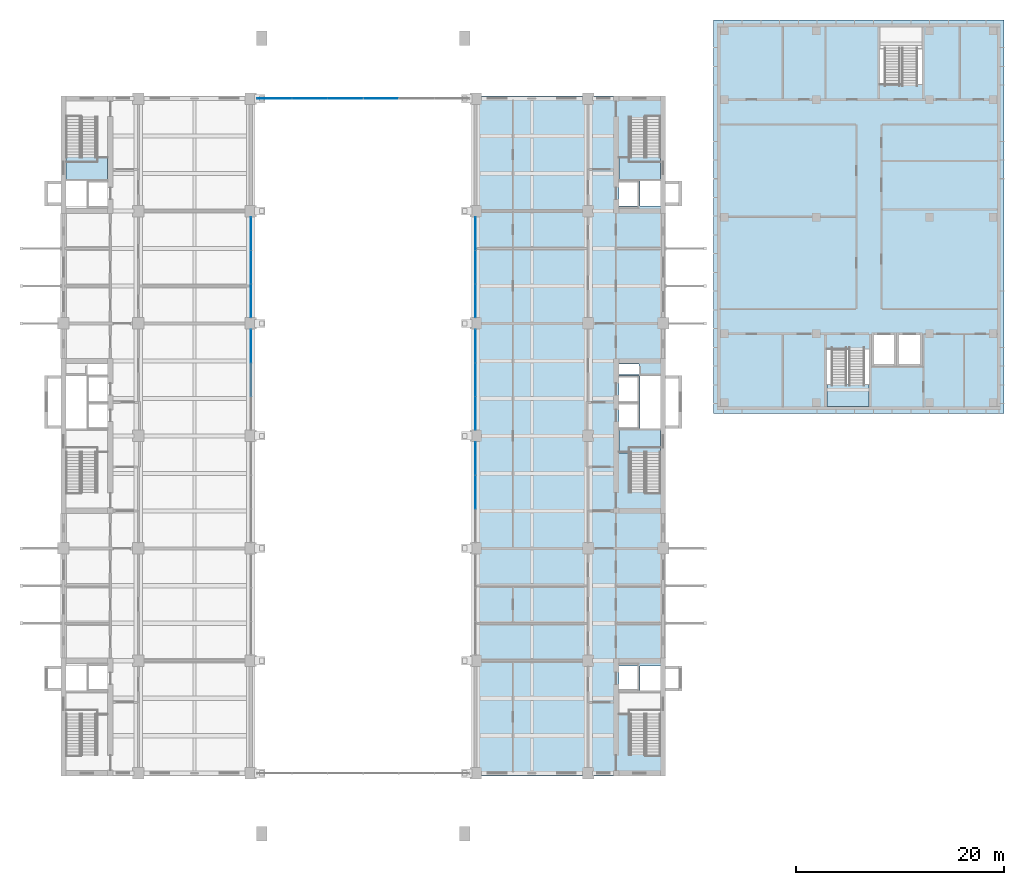
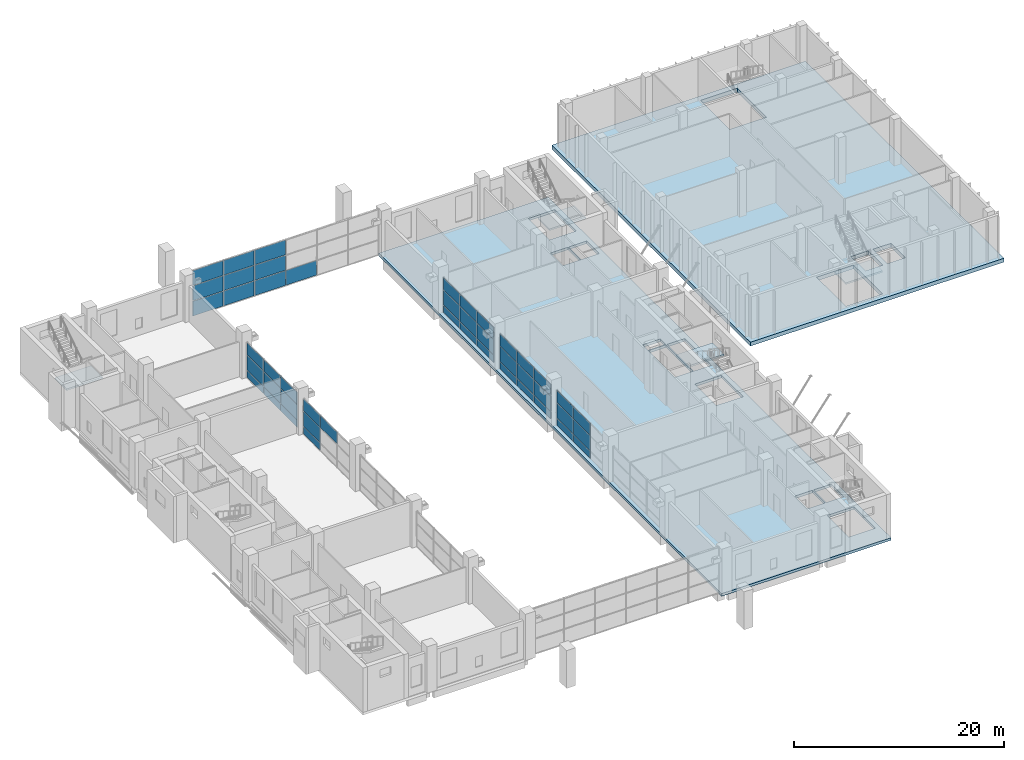
# One storey, part 15 of 38: 47 plates, 6 slabs, 10 elements without a shape of their own.
"""IFC4 building model written with IfcOpenShell, lengths in metres."""

from ifc_helpers import new_model, si_unit, direction, frame, origin, origin_2d, place, context, subcontext, project, spatial, polyline, rectangle, outline, extrude, material, layer, layer_set, type_object, element, aggregate, save


model = new_model("IFC4")

# Units and contexts
model_context = context("Model", 3, precision=1e-05, world=origin(), true_north=direction((0.0, 1.0)))
body_context = subcontext(model_context, "Body", "Model", "MODEL_VIEW")
ifc_project = project(units=[si_unit("LENGTHUNIT", "METRE"), si_unit("AREAUNIT", "SQUARE_METRE"), si_unit("VOLUMEUNIT", "CUBIC_METRE"), si_unit("PLANEANGLEUNIT", "RADIAN"), si_unit("MASSUNIT", "GRAM", prefix="KILO")], contexts=[model_context])

# Site, building, storey
site_placement = place(None, origin())
site = spatial("IfcSite", under=ifc_project, at=site_placement, CompositionType="ELEMENT")
building_placement = place(site_placement, origin())
building = spatial("IfcBuilding", under=site, at=building_placement, Name="Basin Gate Institute", CompositionType="ELEMENT")
storey_placement = place(building_placement, frame((0.0, 0.0, 16.800048828125)))
storey = spatial("IfcBuildingStorey", under=building, at=storey_placement, Name="L03", CompositionType="ELEMENT", Elevation=16.800048828125)

# Curtain wall, plates
ifc_material_1 = material(Name="Aluminium and glass curtain wall", Category="aluminium")
ifc_layer_1 = layer(ifc_material_1, 0.14990234375)
ifc_layer_set_1 = layer_set([ifc_layer_1], Name="Atrium curtain wall CW81")
curtain_wall_type_1 = type_object("IfcCurtainWallType", Name="Atrium curtain wall CW81", PredefinedType="NOTDEFINED", material=ifc_layer_set_1)
curtain_wall_1_placement = place(storey_placement, origin())
curtain_wall_1 = element("IfcCurtainWall", 1, at=curtain_wall_1_placement, inside=storey, type_object=curtain_wall_type_1, material=ifc_layer_set_1, Name="Atrium end screen N L03", PredefinedType="NOTDEFINED")
ifc_material_2 = material(Name="Toughened glass", Category="glass")
ifc_layer_2 = layer(ifc_material_2, 0.028076171875)
ifc_layer_set_2 = layer_set([ifc_layer_2], Name="Atrium glass panel PN81")
plate_type_1 = type_object("IfcPlateType", Name="Atrium glass panel PN81", PredefinedType="CURTAIN_PANEL", material=ifc_layer_set_2)
plate_1_placement = place(storey_placement, frame((81.473388671875, 99.89990234375, 0.06005859375), z_axis=(0.0, 0.0, 1.0), x_axis=(1.0, 0.0, 0.0)))
plate_1 = element("IfcPlate", 2, at=plate_1_placement, type_object=plate_type_1, material=ifc_layer_set_2, Name="CW81 panel 1.1", PredefinedType="CURTAIN_PANEL", context=body_context, shape_type="SweptSolid", body=[
    extrude(rectangle(XDim=3.32666015625, YDim=0.028076171875, at=origin_2d()), origin(), (0.0, 0.0, 1.0), 1.7099609375),
])
plate_2_placement = place(storey_placement, frame((81.473388671875, 99.89990234375, 1.830078125), z_axis=(0.0, 0.0, 1.0), x_axis=(1.0, 0.0, 0.0)))
plate_2 = element("IfcPlate", 3, at=plate_2_placement, type_object=plate_type_1, material=ifc_layer_set_2, Name="CW81 panel 1.2", PredefinedType="CURTAIN_PANEL", context=body_context, shape_type="SweptSolid", body=[
    extrude(rectangle(XDim=3.32666015625, YDim=0.028076171875, at=origin_2d()), origin(), (0.0, 0.0, 1.0), 1.739990234375),
])
plate_3_placement = place(storey_placement, frame((81.473388671875, 99.89990234375, 3.6298828125), z_axis=(0.0, 0.0, 1.0), x_axis=(1.0, 0.0, 0.0)))
plate_3 = element("IfcPlate", 4, at=plate_3_placement, type_object=plate_type_1, material=ifc_layer_set_2, Name="CW81 panel 1.3", PredefinedType="CURTAIN_PANEL", context=body_context, shape_type="SweptSolid", body=[
    extrude(rectangle(XDim=3.32666015625, YDim=0.028076171875, at=origin_2d()), origin(), (0.0, 0.0, 1.0), 1.7099609375),
])
plate_4_placement = place(storey_placement, frame((84.875, 99.89990234375, 0.06005859375), z_axis=(0.0, 0.0, 1.0), x_axis=(1.0, 0.0, 0.0)))
plate_4 = element("IfcPlate", 5, at=plate_4_placement, type_object=plate_type_1, material=ifc_layer_set_2, Name="CW81 panel 2.1", PredefinedType="CURTAIN_PANEL", context=body_context, shape_type="SweptSolid", body=[
    extrude(rectangle(XDim=3.356689453125, YDim=0.028076171875, at=origin_2d()), origin(), (0.0, 0.0, 1.0), 1.7099609375),
])
plate_5_placement = place(storey_placement, frame((84.875, 99.89990234375, 1.830078125), z_axis=(0.0, 0.0, 1.0), x_axis=(1.0, 0.0, 0.0)))
plate_5 = element("IfcPlate", 6, at=plate_5_placement, type_object=plate_type_1, material=ifc_layer_set_2, Name="CW81 panel 2.2", PredefinedType="CURTAIN_PANEL", context=body_context, shape_type="SweptSolid", body=[
    extrude(rectangle(XDim=3.356689453125, YDim=0.028076171875, at=origin_2d()), origin(), (0.0, 0.0, 1.0), 1.739990234375),
])
plate_6_placement = place(storey_placement, frame((84.875, 99.89990234375, 3.6298828125), z_axis=(0.0, 0.0, 1.0), x_axis=(1.0, 0.0, 0.0)))
plate_6 = element("IfcPlate", 7, at=plate_6_placement, type_object=plate_type_1, material=ifc_layer_set_2, Name="CW81 panel 2.3", PredefinedType="CURTAIN_PANEL", context=body_context, shape_type="SweptSolid", body=[
    extrude(rectangle(XDim=3.356689453125, YDim=0.028076171875, at=origin_2d()), origin(), (0.0, 0.0, 1.0), 1.7099609375),
])
plate_7_placement = place(storey_placement, frame((88.291748046875, 99.89990234375, 0.06005859375), z_axis=(0.0, 0.0, 1.0), x_axis=(1.0, 0.0, 0.0)))
plate_7 = element("IfcPlate", 8, at=plate_7_placement, type_object=plate_type_1, material=ifc_layer_set_2, Name="CW81 panel 3.1", PredefinedType="CURTAIN_PANEL", context=body_context, shape_type="SweptSolid", body=[
    extrude(rectangle(XDim=3.356689453125, YDim=0.028076171875, at=origin_2d()), origin(), (0.0, 0.0, 1.0), 1.7099609375),
])
plate_8_placement = place(storey_placement, frame((88.291748046875, 99.89990234375, 1.830078125), z_axis=(0.0, 0.0, 1.0), x_axis=(1.0, 0.0, 0.0)))
plate_8 = element("IfcPlate", 9, at=plate_8_placement, type_object=plate_type_1, material=ifc_layer_set_2, Name="CW81 panel 3.2", PredefinedType="CURTAIN_PANEL", context=body_context, shape_type="SweptSolid", body=[
    extrude(rectangle(XDim=3.356689453125, YDim=0.028076171875, at=origin_2d()), origin(), (0.0, 0.0, 1.0), 1.739990234375),
])
plate_9_placement = place(storey_placement, frame((88.291748046875, 99.89990234375, 3.6298828125), z_axis=(0.0, 0.0, 1.0), x_axis=(1.0, 0.0, 0.0)))
plate_9 = element("IfcPlate", 10, at=plate_9_placement, type_object=plate_type_1, material=ifc_layer_set_2, Name="CW81 panel 3.3", PredefinedType="CURTAIN_PANEL", context=body_context, shape_type="SweptSolid", body=[
    extrude(rectangle(XDim=3.356689453125, YDim=0.028076171875, at=origin_2d()), origin(), (0.0, 0.0, 1.0), 1.7099609375),
])
plate_10_placement = place(storey_placement, frame((91.708251953125, 99.89990234375, 0.06005859375), z_axis=(0.0, 0.0, 1.0), x_axis=(1.0, 0.0, 0.0)))
plate_10 = element("IfcPlate", 11, at=plate_10_placement, type_object=plate_type_1, material=ifc_layer_set_2, Name="CW81 panel 4.1", PredefinedType="CURTAIN_PANEL", context=body_context, shape_type="SweptSolid", body=[
    extrude(rectangle(XDim=3.356689453125, YDim=0.028076171875, at=origin_2d()), origin(), (0.0, 0.0, 1.0), 1.7099609375),
])
aggregate(curtain_wall_1, [plate_1, plate_2, plate_3, plate_4, plate_5, plate_6, plate_7, plate_8, plate_9, plate_10])

# Stair, slab
ifc_material_3 = material(Name="Concrete 40 MPa", Category="concrete")
stair_type_1 = type_object("IfcStairType", Name="Block stair ST", PredefinedType="HALF_TURN_STAIR", material=ifc_material_3)
stair_1_placement = place(storey_placement, origin())
stair_1 = element("IfcStair", 12, at=stair_1_placement, inside=storey, type_object=stair_type_1, material=ifc_material_3, Name="Clean block stair ST-C4 L03", PredefinedType="HALF_TURN_STAIR")
ifc_material_4 = material(Name="Concrete 40 MPa", Category="concrete")
ifc_layer_3 = layer(ifc_material_4, 0.199951171875)
ifc_layer_set_3 = layer_set([ifc_layer_3], Name="Concrete 40 MPa")
slab_type_1 = type_object("IfcSlabType", Name="Block stair landing", PredefinedType="LANDING", material=ifc_layer_set_3)
slab_1_placement = place(storey_placement, frame((0.0, 0.0, 2.5)))
slab_1 = element("IfcSlab", 13, at=slab_1_placement, type_object=slab_type_1, material=ifc_layer_set_3, Name="ST-C4 landing 1", PredefinedType="LANDING", context=body_context, shape_type="SweptSolid", body=[
    extrude(outline(polyline([(134.52490234375, 70.300048828125), (138.574951171875, 70.300048828125), (138.574951171875, 72.455078125), (134.52490234375, 72.455078125), (134.52490234375, 70.300048828125)])), origin(), (0.0, 0.0, 1.0), 0.199951171875),
])
aggregate(stair_1, [slab_1])

# Slabs
ifc_material_5 = material(Name="Concrete 40 MPa", Category="concrete")
ifc_layer_4 = layer(ifc_material_5, 0.300048828125)
ifc_layer_set_4 = layer_set([ifc_layer_4], Name="Concrete 40 MPa")
slab_type_2 = type_object("IfcSlabType", Name="Slab SL3 R180", PredefinedType="FLOOR", material=ifc_layer_set_4)
slab_2_placement = place(storey_placement, frame((0.0, 0.0, -0.300048828125)))
element("IfcSlab", 14, at=slab_2_placement, inside=storey, type_object=slab_type_2, material=ifc_layer_set_4, Name="SLAB/L03/E", PredefinedType="FLOOR", context=body_context, shape_type="SweptSolid", body=[
    extrude(outline(polyline([(119.050048828125, 100.14990234375), (100.39990234375, 100.14990234375), (100.39990234375, 34.85009765625), (119.050048828125, 34.85009765625), (119.050048828125, 100.14990234375)]), holes=[polyline([(118.550048828125, 41.070068359375), (115.60009765625, 41.070068359375), (115.60009765625, 36.969970703125), (118.550048828125, 36.969970703125), (118.550048828125, 41.070068359375)]), polyline([(118.550048828125, 66.27001953125), (115.60009765625, 66.27001953125), (115.60009765625, 62.169921875), (118.550048828125, 62.169921875), (118.550048828125, 66.27001953125)]), polyline([(118.550048828125, 98.030029296875), (115.60009765625, 98.030029296875), (115.60009765625, 93.929931640625), (118.550048828125, 93.929931640625), (118.550048828125, 98.030029296875)]), polyline([(118.550048828125, 45.39990234375), (116.60009765625, 45.39990234375), (116.60009765625, 43.0), (118.550048828125, 43.0), (118.550048828125, 45.39990234375)]), polyline([(118.550048828125, 73.300048828125), (116.60009765625, 73.300048828125), (116.60009765625, 68.199951171875), (118.550048828125, 68.199951171875), (118.550048828125, 73.300048828125)]), polyline([(116.5, 74.39990234375), (114.550048828125, 74.39990234375), (114.550048828125, 73.39990234375), (116.5, 73.39990234375), (116.5, 74.39990234375)]), polyline([(118.550048828125, 92.0), (116.60009765625, 92.0), (116.60009765625, 89.60009765625), (118.550048828125, 89.60009765625), (118.550048828125, 92.0)]), polyline([(116.5, 45.39990234375), (114.550048828125, 45.39990234375), (114.550048828125, 43.0), (116.5, 43.0), (116.5, 45.39990234375)]), polyline([(116.5, 68.199951171875), (114.550048828125, 68.199951171875), (114.550048828125, 73.300048828125), (116.5, 73.300048828125), (116.5, 68.199951171875)]), polyline([(116.5, 92.0), (114.550048828125, 92.0), (114.550048828125, 89.60009765625), (116.5, 89.60009765625), (116.5, 92.0)])]), origin(), (0.0, 0.0, 1.0), 0.300048828125),
])
ifc_material_6 = material(Name="Concrete 40 MPa", Category="concrete")
ifc_layer_5 = layer(ifc_material_6, 0.449951171875)
ifc_layer_set_5 = layer_set([ifc_layer_5], Name="Concrete 40 MPa")
slab_type_3 = type_object("IfcSlabType", Name="Slab SL845 R180", PredefinedType="FLOOR", material=ifc_layer_set_5)
slab_3_placement = place(storey_placement, frame((0.0, 0.0, -0.449951171875)))
element("IfcSlab", 15, at=slab_3_placement, inside=storey, type_object=slab_type_3, material=ifc_layer_set_5, Name="Clean block floor slab R180 L03", PredefinedType="FLOOR", context=body_context, shape_type="SweptSolid", body=[
    extrude(outline(polyline([(123.64990234375, 107.449951171875), (123.64990234375, 69.64990234375), (151.550048828125, 69.64990234375), (151.550048828125, 107.449951171875), (123.64990234375, 107.449951171875)]), holes=[polyline([(134.52490234375, 75.85498046875), (138.574951171875, 75.85498046875), (138.574951171875, 70.300048828125), (134.52490234375, 70.300048828125), (134.52490234375, 75.85498046875)]), polyline([(139.074951171875, 77.175048828125), (140.97509765625, 77.175048828125), (140.97509765625, 74.425048828125), (139.074951171875, 74.425048828125), (139.074951171875, 77.175048828125)]), polyline([(141.47509765625, 77.175048828125), (143.47509765625, 77.175048828125), (143.47509765625, 74.425048828125), (141.47509765625, 74.425048828125), (141.47509765625, 77.175048828125)]), polyline([(139.625, 106.800048828125), (143.675048828125, 106.800048828125), (143.675048828125, 101.2451171875), (139.625, 101.2451171875), (139.625, 106.800048828125)])]), origin(), (0.0, 0.0, 1.0), 0.449951171875),
])

# Curtain wall, plates
ifc_material_7 = material(Name="Fire-resistant glazing in steel-free frame", Category="steel")
ifc_layer_6 = layer(ifc_material_7, 0.199951171875)
ifc_layer_set_6 = layer_set([ifc_layer_6], Name="Fire-resistant glazing in steel-free frame")
curtain_wall_type_2 = type_object("IfcCurtainWallType", Name="Atrium rated curtain wall CW3", PredefinedType="NOTDEFINED", material=ifc_layer_set_6)
curtain_wall_2_placement = place(storey_placement, origin())
curtain_wall_2 = element("IfcCurtainWall", 16, at=curtain_wall_2_placement, inside=storey, type_object=curtain_wall_type_2, material=ifc_layer_set_6, Name="Atrium rated curtain wall W wing atrium bay 4 L03", PredefinedType="NOTDEFINED")
ifc_material_8 = material(Name="Fire-resisting board panel")
ifc_layer_7 = layer(ifc_material_8, 0.050048828125)
ifc_layer_set_7 = layer_set([ifc_layer_7], Name="Spandrel panel PN4")
plate_type_2 = type_object("IfcPlateType", Name="Spandrel panel PN4", PredefinedType="CURTAIN_PANEL", material=ifc_layer_set_7)
plate_11_placement = place(storey_placement, frame((79.199951171875, 72.89990234375, 2.72998046875), z_axis=(0.0, 0.0, 1.0), x_axis=(0.0, 1.0, 0.0)))
plate_11 = element("IfcPlate", 17, at=plate_11_placement, type_object=plate_type_2, material=ifc_layer_set_7, Name="CW3 spandrel panel 2.3", PredefinedType="CURTAIN_PANEL", context=body_context, shape_type="SweptSolid", body=[
    extrude(rectangle(XDim=3.17333984375, YDim=0.050048828125, at=origin_2d()), origin(), (0.0, 0.0, 1.0), 1.360107421875),
])
plate_12_placement = place(storey_placement, frame((79.199951171875, 76.118408203125, 0.059814453125), z_axis=(0.0, 0.0, 1.0), x_axis=(0.0, 1.0, 0.0)))
plate_12 = element("IfcPlate", 18, at=plate_12_placement, type_object=plate_type_2, material=ifc_layer_set_7, Name="CW3 spandrel panel 3.1", PredefinedType="CURTAIN_PANEL", context=body_context, shape_type="SweptSolid", body=[
    extrude(rectangle(XDim=3.143310546875, YDim=0.050048828125, at=origin_2d()), origin(), (0.0, 0.0, 1.0), 0.81005859375),
])
plate_13_placement = place(storey_placement, frame((79.199951171875, 76.118408203125, 2.72998046875), z_axis=(0.0, 0.0, 1.0), x_axis=(0.0, 1.0, 0.0)))
plate_13 = element("IfcPlate", 19, at=plate_13_placement, type_object=plate_type_2, material=ifc_layer_set_7, Name="CW3 spandrel panel 3.3", PredefinedType="CURTAIN_PANEL", context=body_context, shape_type="SweptSolid", body=[
    extrude(rectangle(XDim=3.143310546875, YDim=0.050048828125, at=origin_2d()), origin(), (0.0, 0.0, 1.0), 1.360107421875),
])

curtain_wall_3_placement = place(storey_placement, origin())
curtain_wall_3 = element("IfcCurtainWall", 20, at=curtain_wall_3_placement, inside=storey, type_object=curtain_wall_type_2, material=ifc_layer_set_6, Name="Atrium rated curtain wall W wing atrium bay 5 L03", PredefinedType="NOTDEFINED")
plate_14_placement = place(storey_placement, frame((79.199951171875, 80.481689453125, 0.059814453125), z_axis=(0.0, 0.0, 1.0), x_axis=(0.0, 1.0, 0.0)))
plate_14 = element("IfcPlate", 21, at=plate_14_placement, type_object=plate_type_2, material=ifc_layer_set_7, Name="CW3 spandrel panel 1.1", PredefinedType="CURTAIN_PANEL", context=body_context, shape_type="SweptSolid", body=[
    extrude(rectangle(XDim=3.143310546875, YDim=0.050048828125, at=origin_2d()), origin(), (0.0, 0.0, 1.0), 0.81005859375),
])
plate_15_placement = place(storey_placement, frame((79.199951171875, 80.481689453125, 2.72998046875), z_axis=(0.0, 0.0, 1.0), x_axis=(0.0, 1.0, 0.0)))
plate_15 = element("IfcPlate", 22, at=plate_15_placement, type_object=plate_type_2, material=ifc_layer_set_7, Name="CW3 spandrel panel 1.3", PredefinedType="CURTAIN_PANEL", context=body_context, shape_type="SweptSolid", body=[
    extrude(rectangle(XDim=3.143310546875, YDim=0.050048828125, at=origin_2d()), origin(), (0.0, 0.0, 1.0), 1.360107421875),
])
plate_16_placement = place(storey_placement, frame((79.199951171875, 83.699951171875, 0.059814453125), z_axis=(0.0, 0.0, 1.0), x_axis=(0.0, 1.0, 0.0)))
plate_16 = element("IfcPlate", 23, at=plate_16_placement, type_object=plate_type_2, material=ifc_layer_set_7, Name="CW3 spandrel panel 2.1", PredefinedType="CURTAIN_PANEL", context=body_context, shape_type="SweptSolid", body=[
    extrude(rectangle(XDim=3.17333984375, YDim=0.050048828125, at=origin_2d()), origin(), (0.0, 0.0, 1.0), 0.81005859375),
])
plate_17_placement = place(storey_placement, frame((79.199951171875, 83.699951171875, 2.72998046875), z_axis=(0.0, 0.0, 1.0), x_axis=(0.0, 1.0, 0.0)))
plate_17 = element("IfcPlate", 24, at=plate_17_placement, type_object=plate_type_2, material=ifc_layer_set_7, Name="CW3 spandrel panel 2.3", PredefinedType="CURTAIN_PANEL", context=body_context, shape_type="SweptSolid", body=[
    extrude(rectangle(XDim=3.17333984375, YDim=0.050048828125, at=origin_2d()), origin(), (0.0, 0.0, 1.0), 1.360107421875),
])
plate_18_placement = place(storey_placement, frame((79.199951171875, 86.918212890625, 0.059814453125), z_axis=(0.0, 0.0, 1.0), x_axis=(0.0, 1.0, 0.0)))
plate_18 = element("IfcPlate", 25, at=plate_18_placement, type_object=plate_type_2, material=ifc_layer_set_7, Name="CW3 spandrel panel 3.1", PredefinedType="CURTAIN_PANEL", context=body_context, shape_type="SweptSolid", body=[
    extrude(rectangle(XDim=3.143310546875, YDim=0.050048828125, at=origin_2d()), origin(), (0.0, 0.0, 1.0), 0.81005859375),
])
plate_19_placement = place(storey_placement, frame((79.199951171875, 86.918212890625, 2.72998046875), z_axis=(0.0, 0.0, 1.0), x_axis=(0.0, 1.0, 0.0)))
plate_19 = element("IfcPlate", 26, at=plate_19_placement, type_object=plate_type_2, material=ifc_layer_set_7, Name="CW3 spandrel panel 3.3", PredefinedType="CURTAIN_PANEL", context=body_context, shape_type="SweptSolid", body=[
    extrude(rectangle(XDim=3.143310546875, YDim=0.050048828125, at=origin_2d()), origin(), (0.0, 0.0, 1.0), 1.360107421875),
])

curtain_wall_4_placement = place(storey_placement, origin())
curtain_wall_4 = element("IfcCurtainWall", 27, at=curtain_wall_4_placement, inside=storey, type_object=curtain_wall_type_2, material=ifc_layer_set_6, Name="Atrium rated curtain wall E wing atrium bay 3 L03", PredefinedType="NOTDEFINED")
plate_20_placement = place(storey_placement, frame((100.800048828125, 62.10009765625, 0.059814453125), z_axis=(0.0, 0.0, 1.0), x_axis=(0.0, 1.0, 0.0)))
plate_20 = element("IfcPlate", 28, at=plate_20_placement, type_object=plate_type_2, material=ifc_layer_set_7, Name="CW3 spandrel panel 2.1", PredefinedType="CURTAIN_PANEL", context=body_context, shape_type="SweptSolid", body=[
    extrude(rectangle(XDim=3.17333984375, YDim=0.050048828125, at=origin_2d()), origin(), (0.0, 0.0, 1.0), 0.81005859375),
])
plate_21_placement = place(storey_placement, frame((100.800048828125, 62.10009765625, 2.72998046875), z_axis=(0.0, 0.0, 1.0), x_axis=(0.0, 1.0, 0.0)))
plate_21 = element("IfcPlate", 29, at=plate_21_placement, type_object=plate_type_2, material=ifc_layer_set_7, Name="CW3 spandrel panel 2.3", PredefinedType="CURTAIN_PANEL", context=body_context, shape_type="SweptSolid", body=[
    extrude(rectangle(XDim=3.17333984375, YDim=0.050048828125, at=origin_2d()), origin(), (0.0, 0.0, 1.0), 1.360107421875),
])
plate_22_placement = place(storey_placement, frame((100.800048828125, 65.318359375, 0.059814453125), z_axis=(0.0, 0.0, 1.0), x_axis=(0.0, 1.0, 0.0)))
plate_22 = element("IfcPlate", 30, at=plate_22_placement, type_object=plate_type_2, material=ifc_layer_set_7, Name="CW3 spandrel panel 3.1", PredefinedType="CURTAIN_PANEL", context=body_context, shape_type="SweptSolid", body=[
    extrude(rectangle(XDim=3.143310546875, YDim=0.050048828125, at=origin_2d()), origin(), (0.0, 0.0, 1.0), 0.81005859375),
])
plate_23_placement = place(storey_placement, frame((100.800048828125, 65.318359375, 2.72998046875), z_axis=(0.0, 0.0, 1.0), x_axis=(0.0, 1.0, 0.0)))
plate_23 = element("IfcPlate", 31, at=plate_23_placement, type_object=plate_type_2, material=ifc_layer_set_7, Name="CW3 spandrel panel 3.3", PredefinedType="CURTAIN_PANEL", context=body_context, shape_type="SweptSolid", body=[
    extrude(rectangle(XDim=3.143310546875, YDim=0.050048828125, at=origin_2d()), origin(), (0.0, 0.0, 1.0), 1.360107421875),
])

curtain_wall_5_placement = place(storey_placement, origin())
curtain_wall_5 = element("IfcCurtainWall", 32, at=curtain_wall_5_placement, inside=storey, type_object=curtain_wall_type_2, material=ifc_layer_set_6, Name="Atrium rated curtain wall E wing atrium bay 4 L03", PredefinedType="NOTDEFINED")
plate_24_placement = place(storey_placement, frame((100.800048828125, 69.681640625, 0.059814453125), z_axis=(0.0, 0.0, 1.0), x_axis=(0.0, 1.0, 0.0)))
plate_24 = element("IfcPlate", 33, at=plate_24_placement, type_object=plate_type_2, material=ifc_layer_set_7, Name="CW3 spandrel panel 1.1", PredefinedType="CURTAIN_PANEL", context=body_context, shape_type="SweptSolid", body=[
    extrude(rectangle(XDim=3.143310546875, YDim=0.050048828125, at=origin_2d()), origin(), (0.0, 0.0, 1.0), 0.81005859375),
])
plate_25_placement = place(storey_placement, frame((100.800048828125, 69.681640625, 2.72998046875), z_axis=(0.0, 0.0, 1.0), x_axis=(0.0, 1.0, 0.0)))
plate_25 = element("IfcPlate", 34, at=plate_25_placement, type_object=plate_type_2, material=ifc_layer_set_7, Name="CW3 spandrel panel 1.3", PredefinedType="CURTAIN_PANEL", context=body_context, shape_type="SweptSolid", body=[
    extrude(rectangle(XDim=3.143310546875, YDim=0.050048828125, at=origin_2d()), origin(), (0.0, 0.0, 1.0), 1.360107421875),
])
plate_26_placement = place(storey_placement, frame((100.800048828125, 72.89990234375, 0.059814453125), z_axis=(0.0, 0.0, 1.0), x_axis=(0.0, 1.0, 0.0)))
plate_26 = element("IfcPlate", 35, at=plate_26_placement, type_object=plate_type_2, material=ifc_layer_set_7, Name="CW3 spandrel panel 2.1", PredefinedType="CURTAIN_PANEL", context=body_context, shape_type="SweptSolid", body=[
    extrude(rectangle(XDim=3.17333984375, YDim=0.050048828125, at=origin_2d()), origin(), (0.0, 0.0, 1.0), 0.81005859375),
])
plate_27_placement = place(storey_placement, frame((100.800048828125, 72.89990234375, 2.72998046875), z_axis=(0.0, 0.0, 1.0), x_axis=(0.0, 1.0, 0.0)))
plate_27 = element("IfcPlate", 36, at=plate_27_placement, type_object=plate_type_2, material=ifc_layer_set_7, Name="CW3 spandrel panel 2.3", PredefinedType="CURTAIN_PANEL", context=body_context, shape_type="SweptSolid", body=[
    extrude(rectangle(XDim=3.17333984375, YDim=0.050048828125, at=origin_2d()), origin(), (0.0, 0.0, 1.0), 1.360107421875),
])
plate_28_placement = place(storey_placement, frame((100.800048828125, 76.118408203125, 0.059814453125), z_axis=(0.0, 0.0, 1.0), x_axis=(0.0, 1.0, 0.0)))
plate_28 = element("IfcPlate", 37, at=plate_28_placement, type_object=plate_type_2, material=ifc_layer_set_7, Name="CW3 spandrel panel 3.1", PredefinedType="CURTAIN_PANEL", context=body_context, shape_type="SweptSolid", body=[
    extrude(rectangle(XDim=3.143310546875, YDim=0.050048828125, at=origin_2d()), origin(), (0.0, 0.0, 1.0), 0.81005859375),
])
plate_29_placement = place(storey_placement, frame((100.800048828125, 76.118408203125, 2.72998046875), z_axis=(0.0, 0.0, 1.0), x_axis=(0.0, 1.0, 0.0)))
plate_29 = element("IfcPlate", 38, at=plate_29_placement, type_object=plate_type_2, material=ifc_layer_set_7, Name="CW3 spandrel panel 3.3", PredefinedType="CURTAIN_PANEL", context=body_context, shape_type="SweptSolid", body=[
    extrude(rectangle(XDim=3.143310546875, YDim=0.050048828125, at=origin_2d()), origin(), (0.0, 0.0, 1.0), 1.360107421875),
])

curtain_wall_6_placement = place(storey_placement, origin())
curtain_wall_6 = element("IfcCurtainWall", 39, at=curtain_wall_6_placement, inside=storey, type_object=curtain_wall_type_2, material=ifc_layer_set_6, Name="Atrium rated curtain wall E wing atrium bay 5 L03", PredefinedType="NOTDEFINED")
plate_30_placement = place(storey_placement, frame((100.800048828125, 80.481689453125, 0.059814453125), z_axis=(0.0, 0.0, 1.0), x_axis=(0.0, 1.0, 0.0)))
plate_30 = element("IfcPlate", 40, at=plate_30_placement, type_object=plate_type_2, material=ifc_layer_set_7, Name="CW3 spandrel panel 1.1", PredefinedType="CURTAIN_PANEL", context=body_context, shape_type="SweptSolid", body=[
    extrude(rectangle(XDim=3.143310546875, YDim=0.050048828125, at=origin_2d()), origin(), (0.0, 0.0, 1.0), 0.81005859375),
])
plate_31_placement = place(storey_placement, frame((100.800048828125, 80.481689453125, 2.72998046875), z_axis=(0.0, 0.0, 1.0), x_axis=(0.0, 1.0, 0.0)))
plate_31 = element("IfcPlate", 41, at=plate_31_placement, type_object=plate_type_2, material=ifc_layer_set_7, Name="CW3 spandrel panel 1.3", PredefinedType="CURTAIN_PANEL", context=body_context, shape_type="SweptSolid", body=[
    extrude(rectangle(XDim=3.143310546875, YDim=0.050048828125, at=origin_2d()), origin(), (0.0, 0.0, 1.0), 1.360107421875),
])
plate_32_placement = place(storey_placement, frame((100.800048828125, 83.699951171875, 0.059814453125), z_axis=(0.0, 0.0, 1.0), x_axis=(0.0, 1.0, 0.0)))
plate_32 = element("IfcPlate", 42, at=plate_32_placement, type_object=plate_type_2, material=ifc_layer_set_7, Name="CW3 spandrel panel 2.1", PredefinedType="CURTAIN_PANEL", context=body_context, shape_type="SweptSolid", body=[
    extrude(rectangle(XDim=3.17333984375, YDim=0.050048828125, at=origin_2d()), origin(), (0.0, 0.0, 1.0), 0.81005859375),
])
plate_33_placement = place(storey_placement, frame((100.800048828125, 83.699951171875, 2.72998046875), z_axis=(0.0, 0.0, 1.0), x_axis=(0.0, 1.0, 0.0)))
plate_33 = element("IfcPlate", 43, at=plate_33_placement, type_object=plate_type_2, material=ifc_layer_set_7, Name="CW3 spandrel panel 2.3", PredefinedType="CURTAIN_PANEL", context=body_context, shape_type="SweptSolid", body=[
    extrude(rectangle(XDim=3.17333984375, YDim=0.050048828125, at=origin_2d()), origin(), (0.0, 0.0, 1.0), 1.360107421875),
])
plate_34_placement = place(storey_placement, frame((100.800048828125, 86.918212890625, 0.059814453125), z_axis=(0.0, 0.0, 1.0), x_axis=(0.0, 1.0, 0.0)))
plate_34 = element("IfcPlate", 44, at=plate_34_placement, type_object=plate_type_2, material=ifc_layer_set_7, Name="CW3 spandrel panel 3.1", PredefinedType="CURTAIN_PANEL", context=body_context, shape_type="SweptSolid", body=[
    extrude(rectangle(XDim=3.143310546875, YDim=0.050048828125, at=origin_2d()), origin(), (0.0, 0.0, 1.0), 0.81005859375),
])
plate_35_placement = place(storey_placement, frame((100.800048828125, 86.918212890625, 2.72998046875), z_axis=(0.0, 0.0, 1.0), x_axis=(0.0, 1.0, 0.0)))
plate_35 = element("IfcPlate", 45, at=plate_35_placement, type_object=plate_type_2, material=ifc_layer_set_7, Name="CW3 spandrel panel 3.3", PredefinedType="CURTAIN_PANEL", context=body_context, shape_type="SweptSolid", body=[
    extrude(rectangle(XDim=3.143310546875, YDim=0.050048828125, at=origin_2d()), origin(), (0.0, 0.0, 1.0), 1.360107421875),
])

# Stair, slab
ifc_material_9 = material(Name="Concrete 40 MPa", Category="concrete")
stair_type_2 = type_object("IfcStairType", Name="Stair ST", PredefinedType="HALF_TURN_STAIR", material=ifc_material_9)
stair_2_placement = place(storey_placement, origin())
stair_2 = element("IfcStair", 46, at=stair_2_placement, inside=storey, type_object=stair_type_2, material=ifc_material_9, Name="Special safe stair ST-WN L03", PredefinedType="HALF_TURN_STAIR")
ifc_material_10 = material(Name="Concrete 40 MPa", Category="concrete")
ifc_layer_8 = layer(ifc_material_10, 0.199951171875)
ifc_layer_set_8 = layer_set([ifc_layer_8], Name="Concrete 40 MPa")
slab_type_4 = type_object("IfcSlabType", Name="Stair landing LN REI 180", PredefinedType="LANDING", material=ifc_layer_set_8)
slab_4_placement = place(storey_placement, frame((0.0, 0.0, 2.5)))
slab_4 = element("IfcSlab", 47, at=slab_4_placement, type_object=slab_type_4, material=ifc_layer_set_8, Name="Stair landing ST-WN-L1 L03", PredefinedType="LANDING", context=body_context, shape_type="SweptSolid", body=[
    extrude(outline(polyline([(61.449951171875, 92.14990234375), (65.449951171875, 92.14990234375), (65.449951171875, 94.35009765625), (61.449951171875, 94.35009765625), (61.449951171875, 92.14990234375)])), origin(), (0.0, 0.0, 1.0), 0.199951171875),
])
aggregate(stair_2, [slab_4])

stair_3_placement = place(storey_placement, origin())
stair_3 = element("IfcStair", 48, at=stair_3_placement, inside=storey, type_object=stair_type_2, material=ifc_material_9, Name="Special safe stair ST-EM L03", PredefinedType="HALF_TURN_STAIR")
slab_5_placement = place(storey_placement, frame((0.0, 0.0, 2.5)))
slab_5 = element("IfcSlab", 49, at=slab_5_placement, type_object=slab_type_4, material=ifc_layer_set_8, Name="Stair landing ST-EM-L1 L03", PredefinedType="LANDING", context=body_context, shape_type="SweptSolid", body=[
    extrude(outline(polyline([(118.550048828125, 68.050048828125), (114.550048828125, 68.050048828125), (114.550048828125, 65.85009765625), (118.550048828125, 65.85009765625), (118.550048828125, 68.050048828125)])), origin(), (0.0, 0.0, 1.0), 0.199951171875),
])
aggregate(stair_3, [slab_5])

stair_4_placement = place(storey_placement, origin())
stair_4 = element("IfcStair", 50, at=stair_4_placement, inside=storey, type_object=stair_type_2, material=ifc_material_9, Name="Special safe stair ST-EN L03", PredefinedType="HALF_TURN_STAIR")
slab_6_placement = place(storey_placement, frame((0.0, 0.0, 2.5)))
slab_6 = element("IfcSlab", 51, at=slab_6_placement, type_object=slab_type_4, material=ifc_layer_set_8, Name="Stair landing ST-EN-L1 L03", PredefinedType="LANDING", context=body_context, shape_type="SweptSolid", body=[
    extrude(outline(polyline([(118.550048828125, 94.35009765625), (114.550048828125, 94.35009765625), (114.550048828125, 92.14990234375), (118.550048828125, 92.14990234375), (118.550048828125, 94.35009765625)])), origin(), (0.0, 0.0, 1.0), 0.199951171875),
])
aggregate(stair_4, [slab_6])

# Plate
ifc_material_11 = material(Name="Fire-resistant glazing", Category="glass")
ifc_layer_9 = layer(ifc_material_11, 0.0400390625)
ifc_layer_set_9 = layer_set([ifc_layer_9], Name="Vision panel PN3")
plate_type_3 = type_object("IfcPlateType", Name="Vision panel PN3", PredefinedType="CURTAIN_PANEL", material=ifc_layer_set_9)
plate_36_placement = place(storey_placement, frame((79.199951171875, 76.118408203125, 0.93017578125), z_axis=(0.0, 0.0, 1.0), x_axis=(0.0, 1.0, 0.0)))
plate_36 = element("IfcPlate", 52, at=plate_36_placement, type_object=plate_type_3, material=ifc_layer_set_9, Name="CW3 vision panel 3.2", PredefinedType="CURTAIN_PANEL", context=body_context, shape_type="SweptSolid", body=[
    extrude(rectangle(XDim=3.143310546875, YDim=0.0400390625, at=origin_2d()), origin(), (0.0, 0.0, 1.0), 1.739990234375),
])

aggregate(curtain_wall_2, [plate_11, plate_12, plate_36, plate_13])

plate_37_placement = place(storey_placement, frame((79.199951171875, 80.481689453125, 0.93017578125), z_axis=(0.0, 0.0, 1.0), x_axis=(0.0, 1.0, 0.0)))
plate_37 = element("IfcPlate", 53, at=plate_37_placement, type_object=plate_type_3, material=ifc_layer_set_9, Name="CW3 vision panel 1.2", PredefinedType="CURTAIN_PANEL", context=body_context, shape_type="SweptSolid", body=[
    extrude(rectangle(XDim=3.143310546875, YDim=0.0400390625, at=origin_2d()), origin(), (0.0, 0.0, 1.0), 1.739990234375),
])

plate_38_placement = place(storey_placement, frame((79.199951171875, 83.699951171875, 0.93017578125), z_axis=(0.0, 0.0, 1.0), x_axis=(0.0, 1.0, 0.0)))
plate_38 = element("IfcPlate", 54, at=plate_38_placement, type_object=plate_type_3, material=ifc_layer_set_9, Name="CW3 vision panel 2.2", PredefinedType="CURTAIN_PANEL", context=body_context, shape_type="SweptSolid", body=[
    extrude(rectangle(XDim=3.17333984375, YDim=0.0400390625, at=origin_2d()), origin(), (0.0, 0.0, 1.0), 1.739990234375),
])

plate_39_placement = place(storey_placement, frame((79.199951171875, 86.918212890625, 0.93017578125), z_axis=(0.0, 0.0, 1.0), x_axis=(0.0, 1.0, 0.0)))
plate_39 = element("IfcPlate", 55, at=plate_39_placement, type_object=plate_type_3, material=ifc_layer_set_9, Name="CW3 vision panel 3.2", PredefinedType="CURTAIN_PANEL", context=body_context, shape_type="SweptSolid", body=[
    extrude(rectangle(XDim=3.143310546875, YDim=0.0400390625, at=origin_2d()), origin(), (0.0, 0.0, 1.0), 1.739990234375),
])

aggregate(curtain_wall_3, [plate_14, plate_37, plate_15, plate_16, plate_38, plate_17, plate_18, plate_39, plate_19])

plate_40_placement = place(storey_placement, frame((100.800048828125, 62.10009765625, 0.93017578125), z_axis=(0.0, 0.0, 1.0), x_axis=(0.0, 1.0, 0.0)))
plate_40 = element("IfcPlate", 56, at=plate_40_placement, type_object=plate_type_3, material=ifc_layer_set_9, Name="CW3 vision panel 2.2", PredefinedType="CURTAIN_PANEL", context=body_context, shape_type="SweptSolid", body=[
    extrude(rectangle(XDim=3.17333984375, YDim=0.0400390625, at=origin_2d()), origin(), (0.0, 0.0, 1.0), 1.739990234375),
])

plate_41_placement = place(storey_placement, frame((100.800048828125, 65.318359375, 0.93017578125), z_axis=(0.0, 0.0, 1.0), x_axis=(0.0, 1.0, 0.0)))
plate_41 = element("IfcPlate", 57, at=plate_41_placement, type_object=plate_type_3, material=ifc_layer_set_9, Name="CW3 vision panel 3.2", PredefinedType="CURTAIN_PANEL", context=body_context, shape_type="SweptSolid", body=[
    extrude(rectangle(XDim=3.143310546875, YDim=0.0400390625, at=origin_2d()), origin(), (0.0, 0.0, 1.0), 1.739990234375),
])

aggregate(curtain_wall_4, [plate_20, plate_40, plate_21, plate_22, plate_41, plate_23])

plate_42_placement = place(storey_placement, frame((100.800048828125, 69.681640625, 0.93017578125), z_axis=(0.0, 0.0, 1.0), x_axis=(0.0, 1.0, 0.0)))
plate_42 = element("IfcPlate", 58, at=plate_42_placement, type_object=plate_type_3, material=ifc_layer_set_9, Name="CW3 vision panel 1.2", PredefinedType="CURTAIN_PANEL", context=body_context, shape_type="SweptSolid", body=[
    extrude(rectangle(XDim=3.143310546875, YDim=0.0400390625, at=origin_2d()), origin(), (0.0, 0.0, 1.0), 1.739990234375),
])

plate_43_placement = place(storey_placement, frame((100.800048828125, 72.89990234375, 0.93017578125), z_axis=(0.0, 0.0, 1.0), x_axis=(0.0, 1.0, 0.0)))
plate_43 = element("IfcPlate", 59, at=plate_43_placement, type_object=plate_type_3, material=ifc_layer_set_9, Name="CW3 vision panel 2.2", PredefinedType="CURTAIN_PANEL", context=body_context, shape_type="SweptSolid", body=[
    extrude(rectangle(XDim=3.17333984375, YDim=0.0400390625, at=origin_2d()), origin(), (0.0, 0.0, 1.0), 1.739990234375),
])

plate_44_placement = place(storey_placement, frame((100.800048828125, 76.118408203125, 0.93017578125), z_axis=(0.0, 0.0, 1.0), x_axis=(0.0, 1.0, 0.0)))
plate_44 = element("IfcPlate", 60, at=plate_44_placement, type_object=plate_type_3, material=ifc_layer_set_9, Name="CW3 vision panel 3.2", PredefinedType="CURTAIN_PANEL", context=body_context, shape_type="SweptSolid", body=[
    extrude(rectangle(XDim=3.143310546875, YDim=0.0400390625, at=origin_2d()), origin(), (0.0, 0.0, 1.0), 1.739990234375),
])

aggregate(curtain_wall_5, [plate_24, plate_42, plate_25, plate_26, plate_43, plate_27, plate_28, plate_44, plate_29])

plate_45_placement = place(storey_placement, frame((100.800048828125, 80.481689453125, 0.93017578125), z_axis=(0.0, 0.0, 1.0), x_axis=(0.0, 1.0, 0.0)))
plate_45 = element("IfcPlate", 61, at=plate_45_placement, type_object=plate_type_3, material=ifc_layer_set_9, Name="CW3 vision panel 1.2", PredefinedType="CURTAIN_PANEL", context=body_context, shape_type="SweptSolid", body=[
    extrude(rectangle(XDim=3.143310546875, YDim=0.0400390625, at=origin_2d()), origin(), (0.0, 0.0, 1.0), 1.739990234375),
])

plate_46_placement = place(storey_placement, frame((100.800048828125, 83.699951171875, 0.93017578125), z_axis=(0.0, 0.0, 1.0), x_axis=(0.0, 1.0, 0.0)))
plate_46 = element("IfcPlate", 62, at=plate_46_placement, type_object=plate_type_3, material=ifc_layer_set_9, Name="CW3 vision panel 2.2", PredefinedType="CURTAIN_PANEL", context=body_context, shape_type="SweptSolid", body=[
    extrude(rectangle(XDim=3.17333984375, YDim=0.0400390625, at=origin_2d()), origin(), (0.0, 0.0, 1.0), 1.739990234375),
])

plate_47_placement = place(storey_placement, frame((100.800048828125, 86.918212890625, 0.93017578125), z_axis=(0.0, 0.0, 1.0), x_axis=(0.0, 1.0, 0.0)))
plate_47 = element("IfcPlate", 63, at=plate_47_placement, type_object=plate_type_3, material=ifc_layer_set_9, Name="CW3 vision panel 3.2", PredefinedType="CURTAIN_PANEL", context=body_context, shape_type="SweptSolid", body=[
    extrude(rectangle(XDim=3.143310546875, YDim=0.0400390625, at=origin_2d()), origin(), (0.0, 0.0, 1.0), 1.739990234375),
])

aggregate(curtain_wall_6, [plate_30, plate_45, plate_31, plate_32, plate_46, plate_33, plate_34, plate_47, plate_35])

save(model, "model.ifc")
